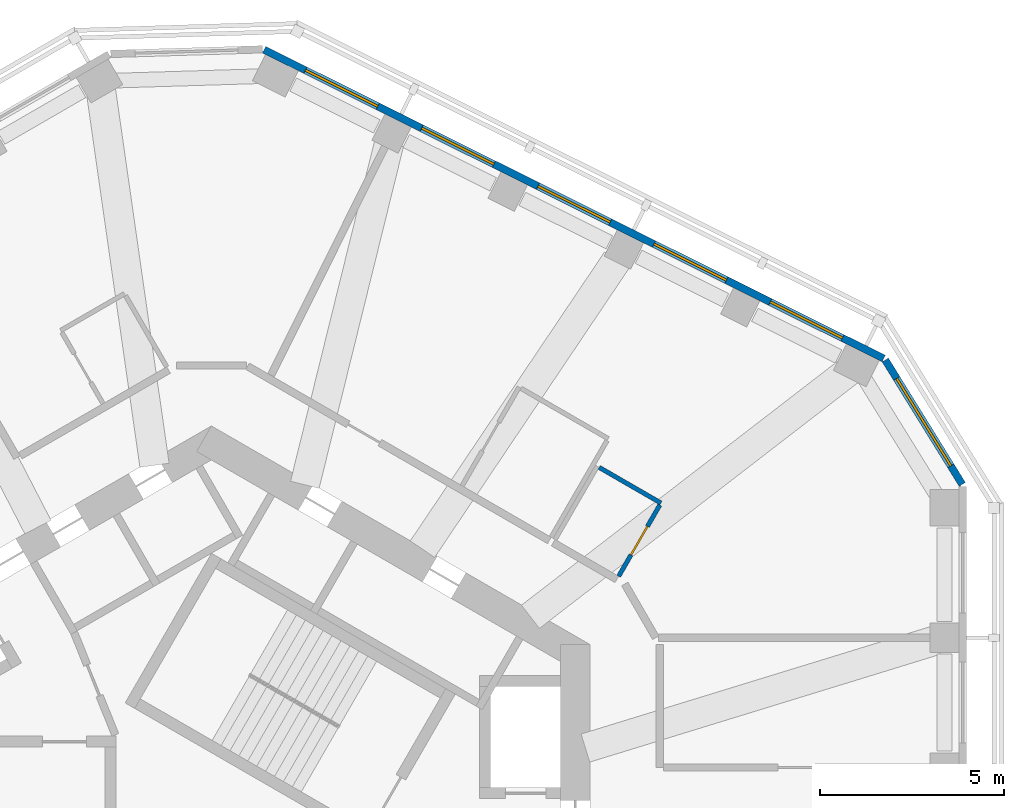
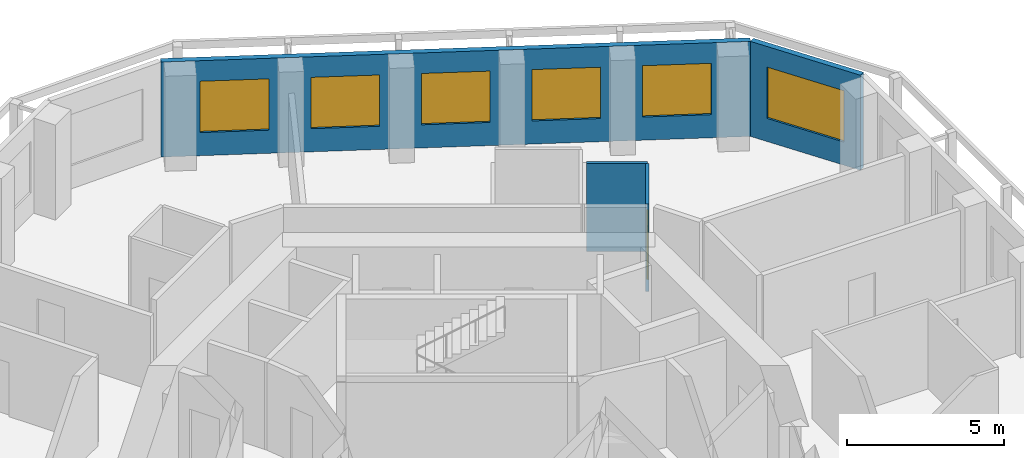
# One storey, part 8 of 11: 6 windows, 4 walls, 1 door, 7 openings.
"""IFC4 building model written with IfcOpenShell, lengths in metres."""

from ifc_helpers import new_model, si_unit, direction, frame, frame_2d, origin, place, context, subcontext, project, spatial, rectangle, extrude, material, layer, layer_set, type_object, element, fill, save


model = new_model("IFC4")

# Units and contexts
model_context = context("Model", 3, precision=1e-05, world=origin(), true_north=direction((0.0, 1.0)))
body_context = subcontext(model_context, "Body", "Model", "MODEL_VIEW")
ifc_project = project(units=[si_unit("LENGTHUNIT", "METRE"), si_unit("AREAUNIT", "SQUARE_METRE"), si_unit("VOLUMEUNIT", "CUBIC_METRE"), si_unit("PLANEANGLEUNIT", "RADIAN"), si_unit("MASSUNIT", "GRAM", prefix="KILO")], contexts=[model_context])

# Site, building, storey
site_placement = place(None, origin())
site = spatial("IfcSite", under=ifc_project, at=site_placement, CompositionType="ELEMENT")
building_placement = place(site_placement, origin())
building = spatial("IfcBuilding", under=site, at=building_placement, Name="Vanh Sen Convention Tower", CompositionType="ELEMENT")
storey_placement = place(building_placement, frame((0.0, 0.0, 243.89990234375)))
storey = spatial("IfcBuildingStorey", under=building, at=storey_placement, Name="L60", CompositionType="ELEMENT", Elevation=243.89990234375)

# Wall
ifc_material_1 = material(Name="Moisture-resistant gypsum board on steel studs", Category="steel")
ifc_layer_1 = layer(ifc_material_1, 0.1201171875)
ifc_layer_set_1 = layer_set([ifc_layer_1], Name="Moisture-resistant gypsum board on steel studs")
wall_type_1 = type_object("IfcWallType", Name="Bathroom partition 120", PredefinedType="PARTITIONING", material=ifc_layer_set_1)
wall_1_placement = place(storey_placement, frame((10.553466796875, 10.765625, 0.0), z_axis=(0.0, 0.0, 1.0), x_axis=(0.866011626733, -0.500023861795, 0.0)))
element("IfcWall", 1, at=wall_1_placement, inside=storey, type_object=wall_type_1, Name="Bathroom partition 120", PredefinedType="PARTITIONING", context=body_context, shape_type="SweptSolid", body=[
    extrude(rectangle(XDim=1.93994140625, YDim=0.1201171875, at=frame_2d((0.969970703125, 0.0))), origin(), (0.0, 0.0, 1.0), 3.420166015625),
])

# Wall, opening, door
wall_2_placement = place(storey_placement, frame((12.20361328125, 9.74365234375, 0.0), z_axis=(0.0, 0.0, 1.0), x_axis=(-0.500030632641, -0.866007717299, 0.0)))
wall_2 = element("IfcWall", 2, at=wall_2_placement, inside=storey, type_object=wall_type_1, Name="Bathroom partition 120", PredefinedType="PARTITIONING", context=body_context, shape_type="SweptSolid", body=[
    extrude(rectangle(XDim=2.239990234375, YDim=0.1201171875, at=frame_2d((1.1201171875, 0.0))), origin(), (0.0, 0.0, 1.0), 3.420166015625),
])
opening_1_placement = place(wall_2_placement, frame((0.669921875, 0.0, 0.0)))
opening_1 = element("IfcOpeningElement", 3, at=opening_1_placement, cuts=wall_2, Name="Opening D59103", PredefinedType="OPENING", context=body_context, shape_type="SweptSolid", body=[
    extrude(rectangle(XDim=0.89990234375, YDim=2.10009765625, at=frame_2d((0.449951171875, 1.050048828125))), frame((0.0, 0.070068359375, 0.0), z_axis=(0.0, -1.0, 0.0), x_axis=(1.0, 0.0, 0.0)), (0.0, 0.0, 1.0), 0.14013671875),
])
ifc_material_2 = material(Name="Laminate door in steel frame", Category="steel")
door_type = type_object("IfcDoorType", Name="Room internal door 900", OperationType="SINGLE_SWING_LEFT", PredefinedType="DOOR", material=ifc_material_2)
door_placement = place(opening_1_placement, origin())
door = element("IfcDoor", 4, at=door_placement, inside=storey, type_object=door_type, Name="Internal room door D59103", OperationType="SINGLE_SWING_LEFT", OverallHeight=2.10009765625, OverallWidth=0.89990234375, PredefinedType="DOOR", context=body_context, shape_type="SweptSolid", body=[
    extrude(rectangle(XDim=0.89990234375, YDim=2.10009765625, at=frame_2d((0.449951171875, 1.050048828125))), frame((0.0, 0.02490234375, 0.0), z_axis=(0.0, -1.0, 0.0), x_axis=(1.0, 0.0, 0.0)), (0.0, 0.0, 1.0), 0.050048828125),
])
fill(opening_1, door)

# Wall, opening, window
ifc_material_3 = material(Name="Insulated lightweight infill wall")
ifc_layer_2 = layer(ifc_material_3, 0.199951171875)
ifc_layer_set_2 = layer_set([ifc_layer_2], Name="Insulated lightweight infill wall")
wall_type_2 = type_object("IfcWallType", Name="External wall 200", PredefinedType="STANDARD", material=ifc_layer_set_2)
wall_3_placement = place(storey_placement, frame((20.43505859375, 10.3037109375, 0.0), z_axis=(0.0, 0.0, 1.0), x_axis=(-0.526202661606, 0.850359194058, 0.0)))
wall_3 = element("IfcWall", 5, at=wall_3_placement, inside=storey, type_object=wall_type_2, Name="External wall CH1 L60", PredefinedType="STANDARD", context=body_context, shape_type="SweptSolid", body=[
    extrude(rectangle(XDim=3.982666015625, YDim=0.199951171875, at=frame_2d((1.9912109375, 0.0))), origin(), (0.0, 0.0, 1.0), 3.7001953125),
])
opening_2_placement = place(wall_3_placement, frame((0.59130859375, 0.0, 0.89990234375)))
opening_2 = element("IfcOpeningElement", 6, at=opening_2_placement, cuts=wall_3, Name="Opening WO4-CH11", PredefinedType="OPENING", context=body_context, shape_type="SweptSolid", body=[
    extrude(rectangle(XDim=2.800048828125, YDim=2.0, at=frame_2d((1.39990234375, 1.0))), frame((0.0, 0.10986328125, 0.0), z_axis=(0.0, -1.0, 0.0), x_axis=(1.0, 0.0, 0.0)), (0.0, 0.0, 1.0), 0.219970703125),
])
ifc_material_4 = material(Name="Aluminium frame with clear low-emissivity glass", Category="aluminium")
window_type_1 = type_object("IfcWindowType", Name="Office window 2800 x 2000", PartitioningType="SINGLE_PANEL", PredefinedType="WINDOW", material=ifc_material_4)
window_1_placement = place(opening_2_placement, origin())
window_1 = element("IfcWindow", 7, at=window_1_placement, inside=storey, type_object=window_type_1, Name="Window WO4-CH11", OverallHeight=2.0, OverallWidth=2.800048828125, PartitioningType="SINGLE_PANEL", PredefinedType="WINDOW", context=body_context, shape_type="SweptSolid", body=[
    extrude(rectangle(XDim=2.800048828125, YDim=2.0, at=frame_2d((1.39990234375, 1.0))), frame((0.0, 0.030029296875, 0.0), z_axis=(0.0, -1.0, 0.0), x_axis=(1.0, 0.0, 0.0)), (0.0, 0.0, 1.0), 0.06005859375),
])
fill(opening_2, window_1)

# Wall, openings, windows
wall_4_placement = place(storey_placement, frame((18.298828125, 13.727294921875, 0.0), z_axis=(0.0, 0.0, 1.0), x_axis=(-0.894934554817, 0.44619742558, 0.0)))
wall_4 = element("IfcWall", 8, at=wall_4_placement, inside=storey, type_object=wall_type_2, Name="External wall NE L60", PredefinedType="STANDARD", context=body_context, shape_type="SweptSolid", body=[
    extrude(rectangle(XDim=18.84130859375, YDim=0.199951171875, at=frame_2d((9.420654296875, 0.0))), origin(), (0.0, 0.0, 1.0), 3.7001953125),
])
opening_3_placement = place(wall_4_placement, frame((1.252685546875, 0.0, 0.89990234375)))
opening_3 = element("IfcOpeningElement", 9, at=opening_3_placement, cuts=wall_4, Name="Opening WO3-NE1", PredefinedType="OPENING", context=body_context, shape_type="SweptSolid", body=[
    extrude(rectangle(XDim=2.199951171875, YDim=2.0, at=frame_2d((1.10009765625, 1.0))), frame((0.0, 0.10986328125, 0.0), z_axis=(0.0, -1.0, 0.0), x_axis=(1.0, 0.0, 0.0)), (0.0, 0.0, 1.0), 0.219970703125),
])
opening_4_placement = place(wall_4_placement, frame((4.7861328125, 0.0, 0.89990234375)))
opening_4 = element("IfcOpeningElement", 10, at=opening_4_placement, cuts=wall_4, Name="Opening WO3-NE2", PredefinedType="OPENING", context=body_context, shape_type="SweptSolid", body=[
    extrude(rectangle(XDim=2.199951171875, YDim=2.0, at=frame_2d((1.10009765625, 1.0))), frame((0.0, 0.10986328125, 0.0), z_axis=(0.0, -1.0, 0.0), x_axis=(1.0, 0.0, 0.0)), (0.0, 0.0, 1.0), 0.219970703125),
])
opening_5_placement = place(wall_4_placement, frame((8.31982421875, 0.0, 0.89990234375)))
opening_5 = element("IfcOpeningElement", 11, at=opening_5_placement, cuts=wall_4, Name="Opening WO3-NE3", PredefinedType="OPENING", context=body_context, shape_type="SweptSolid", body=[
    extrude(rectangle(XDim=2.199951171875, YDim=2.0, at=frame_2d((1.10009765625, 1.0))), frame((0.0, 0.10986328125, 0.0), z_axis=(0.0, -1.0, 0.0), x_axis=(1.0, 0.0, 0.0)), (0.0, 0.0, 1.0), 0.219970703125),
])
opening_6_placement = place(wall_4_placement, frame((11.853515625, 0.0, 0.89990234375)))
opening_6 = element("IfcOpeningElement", 12, at=opening_6_placement, cuts=wall_4, Name="Opening WO3-NE4", PredefinedType="OPENING", context=body_context, shape_type="SweptSolid", body=[
    extrude(rectangle(XDim=2.199951171875, YDim=2.0, at=frame_2d((1.10009765625, 1.0))), frame((0.0, 0.10986328125, 0.0), z_axis=(0.0, -1.0, 0.0), x_axis=(1.0, 0.0, 0.0)), (0.0, 0.0, 1.0), 0.219970703125),
])
opening_7_placement = place(wall_4_placement, frame((15.38720703125, 0.0, 0.89990234375)))
opening_7 = element("IfcOpeningElement", 13, at=opening_7_placement, cuts=wall_4, Name="Opening WO3-NE5", PredefinedType="OPENING", context=body_context, shape_type="SweptSolid", body=[
    extrude(rectangle(XDim=2.199951171875, YDim=2.0, at=frame_2d((1.10009765625, 1.0))), frame((0.0, 0.10986328125, 0.0), z_axis=(0.0, -1.0, 0.0), x_axis=(1.0, 0.0, 0.0)), (0.0, 0.0, 1.0), 0.219970703125),
])
window_type_2 = type_object("IfcWindowType", Name="Office window 2200 x 2000", PartitioningType="SINGLE_PANEL", PredefinedType="WINDOW", material=ifc_material_4)
window_2_placement = place(opening_3_placement, origin())
window_2 = element("IfcWindow", 14, at=window_2_placement, inside=storey, type_object=window_type_2, Name="Window WO3-NE1", OverallHeight=2.0, OverallWidth=2.199951171875, PartitioningType="SINGLE_PANEL", PredefinedType="WINDOW", context=body_context, shape_type="SweptSolid", body=[
    extrude(rectangle(XDim=2.199951171875, YDim=2.0, at=frame_2d((1.10009765625, 1.0))), frame((0.0, 0.030029296875, 0.0), z_axis=(0.0, -1.0, 0.0), x_axis=(1.0, 0.0, 0.0)), (0.0, 0.0, 1.0), 0.06005859375),
])
fill(opening_3, window_2)
window_3_placement = place(opening_4_placement, origin())
window_3 = element("IfcWindow", 15, at=window_3_placement, inside=storey, type_object=window_type_2, Name="Window WO3-NE2", OverallHeight=2.0, OverallWidth=2.199951171875, PartitioningType="SINGLE_PANEL", PredefinedType="WINDOW", context=body_context, shape_type="SweptSolid", body=[
    extrude(rectangle(XDim=2.199951171875, YDim=2.0, at=frame_2d((1.10009765625, 1.0))), frame((0.0, 0.030029296875, 0.0), z_axis=(0.0, -1.0, 0.0), x_axis=(1.0, 0.0, 0.0)), (0.0, 0.0, 1.0), 0.06005859375),
])
fill(opening_4, window_3)
window_4_placement = place(opening_5_placement, origin())
window_4 = element("IfcWindow", 16, at=window_4_placement, inside=storey, type_object=window_type_2, Name="Window WO3-NE3", OverallHeight=2.0, OverallWidth=2.199951171875, PartitioningType="SINGLE_PANEL", PredefinedType="WINDOW", context=body_context, shape_type="SweptSolid", body=[
    extrude(rectangle(XDim=2.199951171875, YDim=2.0, at=frame_2d((1.10009765625, 1.0))), frame((0.0, 0.030029296875, 0.0), z_axis=(0.0, -1.0, 0.0), x_axis=(1.0, 0.0, 0.0)), (0.0, 0.0, 1.0), 0.06005859375),
])
fill(opening_5, window_4)
window_5_placement = place(opening_6_placement, origin())
window_5 = element("IfcWindow", 17, at=window_5_placement, inside=storey, type_object=window_type_2, Name="Window WO3-NE4", OverallHeight=2.0, OverallWidth=2.199951171875, PartitioningType="SINGLE_PANEL", PredefinedType="WINDOW", context=body_context, shape_type="SweptSolid", body=[
    extrude(rectangle(XDim=2.199951171875, YDim=2.0, at=frame_2d((1.10009765625, 1.0))), frame((0.0, 0.030029296875, 0.0), z_axis=(0.0, -1.0, 0.0), x_axis=(1.0, 0.0, 0.0)), (0.0, 0.0, 1.0), 0.06005859375),
])
fill(opening_6, window_5)
window_6_placement = place(opening_7_placement, origin())
window_6 = element("IfcWindow", 18, at=window_6_placement, inside=storey, type_object=window_type_2, Name="Window WO3-NE5", OverallHeight=2.0, OverallWidth=2.199951171875, PartitioningType="SINGLE_PANEL", PredefinedType="WINDOW", context=body_context, shape_type="SweptSolid", body=[
    extrude(rectangle(XDim=2.199951171875, YDim=2.0, at=frame_2d((1.10009765625, 1.0))), frame((0.0, 0.030029296875, 0.0), z_axis=(0.0, -1.0, 0.0), x_axis=(1.0, 0.0, 0.0)), (0.0, 0.0, 1.0), 0.06005859375),
])
fill(opening_7, window_6)

save(model, "model.ifc")
